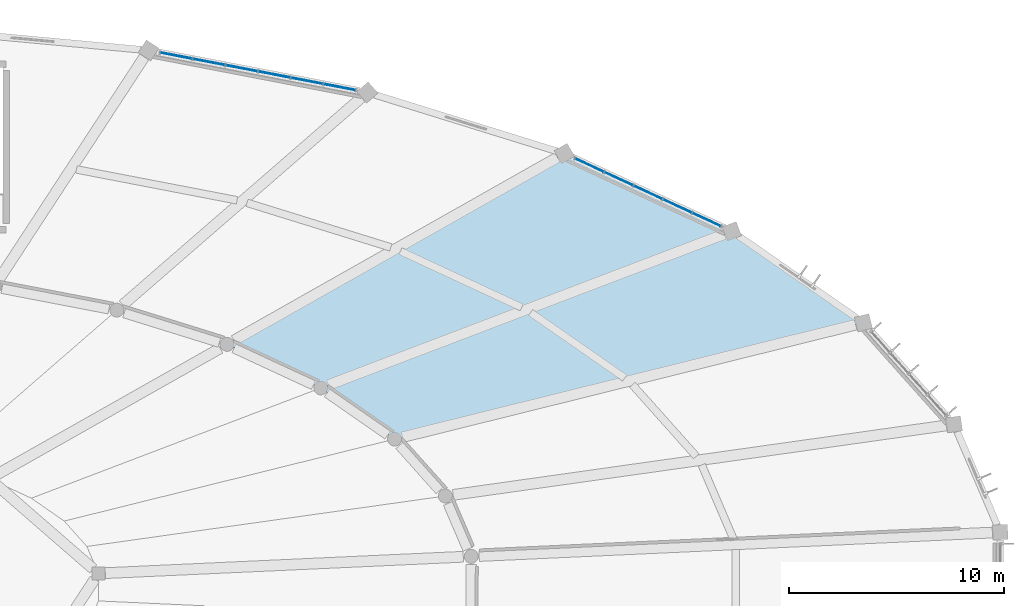
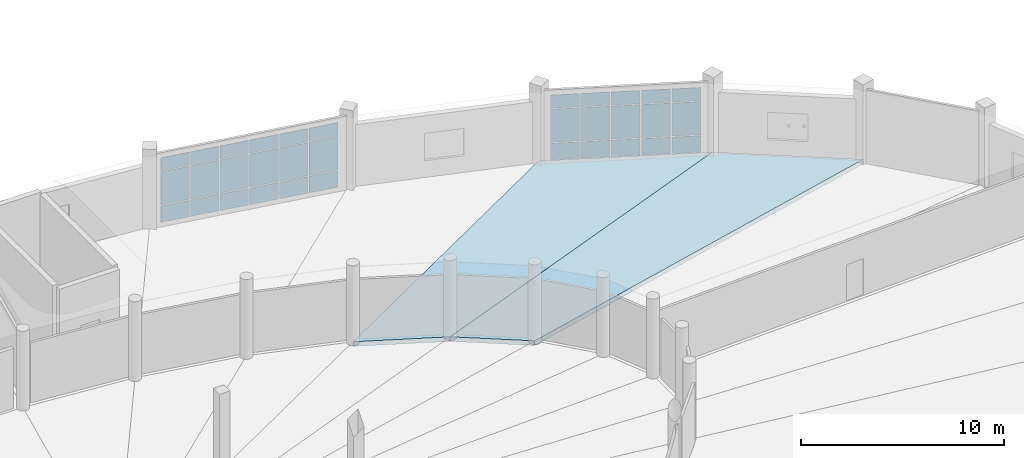
# One storey, part 109 of 179: 33 plates, 2 slabs, 2 elements without a shape of their own.
"""IFC4 building model written with IfcOpenShell, lengths in metres."""

from ifc_helpers import new_model, si_unit, direction, frame, origin, origin_2d, place, context, subcontext, project, spatial, polyline, rectangle, outline, extrude, material, layer, layer_set, type_object, element, aggregate, save


model = new_model("IFC4")

# Units and contexts
model_context = context("Model", 3, precision=1e-05, world=origin(), true_north=direction((0.0, 1.0)))
body_context = subcontext(model_context, "Body", "Model", "MODEL_VIEW")
ifc_project = project(units=[si_unit("LENGTHUNIT", "METRE"), si_unit("AREAUNIT", "SQUARE_METRE"), si_unit("VOLUMEUNIT", "CUBIC_METRE"), si_unit("PLANEANGLEUNIT", "RADIAN"), si_unit("MASSUNIT", "GRAM", prefix="KILO")], contexts=[model_context])

# Site, building, storey
site_placement = place(None, origin())
site = spatial("IfcSite", under=ifc_project, at=site_placement, CompositionType="ELEMENT")
building_placement = place(site_placement, origin())
building = spatial("IfcBuilding", under=site, at=building_placement, Name="Corvandel Quay Wholesale Market", CompositionType="ELEMENT")
storey_placement = place(building_placement, frame((0.0, 0.0, 6.0)))
storey = spatial("IfcBuildingStorey", under=building, at=storey_placement, Name="L01", CompositionType="ELEMENT", Elevation=6.0)

# Curtain wall, plates
ifc_material_1 = material(Name="Bronze anodised aluminium and low-E insulated glazing", Category="aluminium")
ifc_layer_1 = layer(ifc_material_1, 0.14990234375)
ifc_layer_set_1 = layer_set([ifc_layer_1], Name="Bronze anodised aluminium and low-E insulated glazing")
curtain_wall_type_1 = type_object("IfcCurtainWallType", Name="Stick Curtain Wall System CW10 H3900", PredefinedType="NOTDEFINED", material=ifc_layer_set_1)
curtain_wall_1_placement = place(storey_placement, origin())
curtain_wall_1 = element("IfcCurtainWall", 1, at=curtain_wall_1_placement, inside=storey, type_object=curtain_wall_type_1, Name="Curtain Wall CW-0093", PredefinedType="NOTDEFINED")
ifc_material_2 = material(Name="Solar-control low-E insulated glazing", Category="glass")
ifc_layer_2 = layer(ifc_material_2, 0.0400390625)
ifc_layer_set_2 = layer_set([ifc_layer_2], Name="Solar-control low-E insulated glazing")
plate_type_1 = type_object("IfcPlateType", Name="Ceramic Fritted Spandrel Panel PN03 40mm", PredefinedType="CURTAIN_PANEL", material=ifc_layer_set_2)
plate_1_placement = place(storey_placement, frame((156.326171875, 133.1181640625, 3.1298828125), z_axis=(0.0, 0.0, 1.0), x_axis=(-0.906970515865, 0.421194115999, 0.0)))
plate_1 = element("IfcPlate", 2, at=plate_1_placement, type_object=plate_type_1, Name="Glazing Panel CW-0093-P00-2", PredefinedType="CURTAIN_PANEL", context=body_context, shape_type="SweptSolid", body=[
    extrude(rectangle(XDim=1.43896484375, YDim=0.0400390625, at=origin_2d()), origin(), (0.0, 0.0, 1.0), 0.7900390625),
])
plate_2_placement = place(storey_placement, frame((154.962158203125, 133.751708984375, 3.1298828125), z_axis=(0.0, 0.0, 1.0), x_axis=(-0.906970515865, 0.421194115999, 0.0)))
plate_2 = element("IfcPlate", 3, at=plate_2_placement, type_object=plate_type_1, Name="Glazing Panel CW-0093-P01-2", PredefinedType="CURTAIN_PANEL", context=body_context, shape_type="SweptSolid", body=[
    extrude(rectangle(XDim=1.43896484375, YDim=0.0400390625, at=origin_2d()), origin(), (0.0, 0.0, 1.0), 0.7900390625),
])
plate_3_placement = place(storey_placement, frame((153.597900390625, 134.385009765625, 3.1298828125), z_axis=(0.0, 0.0, 1.0), x_axis=(-0.906970515865, 0.421194115999, 0.0)))
plate_3 = element("IfcPlate", 4, at=plate_3_placement, type_object=plate_type_1, Name="Glazing Panel CW-0093-P02-2", PredefinedType="CURTAIN_PANEL", context=body_context, shape_type="SweptSolid", body=[
    extrude(rectangle(XDim=1.43896484375, YDim=0.0400390625, at=origin_2d()), origin(), (0.0, 0.0, 1.0), 0.7900390625),
])
plate_4_placement = place(storey_placement, frame((152.23388671875, 135.018310546875, 3.1298828125), z_axis=(0.0, 0.0, 1.0), x_axis=(-0.906970515865, 0.421194115999, 0.0)))
plate_4 = element("IfcPlate", 5, at=plate_4_placement, type_object=plate_type_1, Name="Glazing Panel CW-0093-P03-2", PredefinedType="CURTAIN_PANEL", context=body_context, shape_type="SweptSolid", body=[
    extrude(rectangle(XDim=1.43896484375, YDim=0.0400390625, at=origin_2d()), origin(), (0.0, 0.0, 1.0), 0.7900390625),
])
plate_5_placement = place(storey_placement, frame((150.869873046875, 135.65185546875, 3.1298828125), z_axis=(0.0, 0.0, 1.0), x_axis=(-0.906970515865, 0.421194115999, 0.0)))
plate_5 = element("IfcPlate", 6, at=plate_5_placement, type_object=plate_type_1, Name="Glazing Panel CW-0093-P04-2", PredefinedType="CURTAIN_PANEL", context=body_context, shape_type="SweptSolid", body=[
    extrude(rectangle(XDim=1.43896484375, YDim=0.0400390625, at=origin_2d()), origin(), (0.0, 0.0, 1.0), 0.7900390625),
])

ifc_layer_3 = layer(ifc_material_1, 0.174072265625)
ifc_layer_set_3 = layer_set([ifc_layer_3], Name="Bronze anodised aluminium and low-E insulated glazing")
curtain_wall_type_2 = type_object("IfcCurtainWallType", Name="Stick Curtain Wall System CW12 H4080", PredefinedType="NOTDEFINED", material=ifc_layer_set_3)
curtain_wall_2_placement = place(storey_placement, origin())
curtain_wall_2 = element("IfcCurtainWall", 7, at=curtain_wall_2_placement, inside=storey, type_object=curtain_wall_type_2, Name="Curtain Wall CW-0095", PredefinedType="NOTDEFINED")
plate_6_placement = place(storey_placement, frame((139.23486328125, 139.289306640625, 3.1298828125), z_axis=(0.0, 0.0, 1.0), x_axis=(-0.981991701121, 0.188924055984, 0.0)))
plate_6 = element("IfcPlate", 8, at=plate_6_placement, type_object=plate_type_1, Name="Glazing Panel CW-0095-P00-2", PredefinedType="CURTAIN_PANEL", context=body_context, shape_type="SweptSolid", body=[
    extrude(rectangle(XDim=1.484619140625, YDim=0.0400390625, at=origin_2d()), origin(), (0.0, 0.0, 1.0), 0.7900390625),
])
plate_7_placement = place(storey_placement, frame((137.713134765625, 139.58203125, 3.1298828125), z_axis=(0.0, 0.0, 1.0), x_axis=(-0.981991701121, 0.188924055984, 0.0)))
plate_7 = element("IfcPlate", 9, at=plate_7_placement, type_object=plate_type_1, Name="Glazing Panel CW-0095-P01-2", PredefinedType="CURTAIN_PANEL", context=body_context, shape_type="SweptSolid", body=[
    extrude(rectangle(XDim=1.484619140625, YDim=0.0400390625, at=origin_2d()), origin(), (0.0, 0.0, 1.0), 0.7900390625),
])
plate_8_placement = place(storey_placement, frame((136.19140625, 139.874755859375, 3.1298828125), z_axis=(0.0, 0.0, 1.0), x_axis=(-0.981991701121, 0.188924055984, 0.0)))
plate_8 = element("IfcPlate", 10, at=plate_8_placement, type_object=plate_type_1, Name="Glazing Panel CW-0095-P02-2", PredefinedType="CURTAIN_PANEL", context=body_context, shape_type="SweptSolid", body=[
    extrude(rectangle(XDim=1.484619140625, YDim=0.0400390625, at=origin_2d()), origin(), (0.0, 0.0, 1.0), 0.7900390625),
])
plate_9_placement = place(storey_placement, frame((134.669677734375, 140.167236328125, 3.1298828125), z_axis=(0.0, 0.0, 1.0), x_axis=(-0.981991701121, 0.188924055984, 0.0)))
plate_9 = element("IfcPlate", 11, at=plate_9_placement, type_object=plate_type_1, Name="Glazing Panel CW-0095-P03-2", PredefinedType="CURTAIN_PANEL", context=body_context, shape_type="SweptSolid", body=[
    extrude(rectangle(XDim=1.484619140625, YDim=0.0400390625, at=origin_2d()), origin(), (0.0, 0.0, 1.0), 0.7900390625),
])
plate_10_placement = place(storey_placement, frame((133.14794921875, 140.4599609375, 3.1298828125), z_axis=(0.0, 0.0, 1.0), x_axis=(-0.981991701121, 0.188924055984, 0.0)))
plate_10 = element("IfcPlate", 12, at=plate_10_placement, type_object=plate_type_1, Name="Glazing Panel CW-0095-P04-2", PredefinedType="CURTAIN_PANEL", context=body_context, shape_type="SweptSolid", body=[
    extrude(rectangle(XDim=1.484619140625, YDim=0.0400390625, at=origin_2d()), origin(), (0.0, 0.0, 1.0), 0.7900390625),
])
plate_11_placement = place(storey_placement, frame((131.626220703125, 140.752685546875, 3.1298828125), z_axis=(0.0, 0.0, 1.0), x_axis=(-0.981991701121, 0.188924055984, 0.0)))
plate_11 = element("IfcPlate", 13, at=plate_11_placement, type_object=plate_type_1, Name="Glazing Panel CW-0095-P05-2", PredefinedType="CURTAIN_PANEL", context=body_context, shape_type="SweptSolid", body=[
    extrude(rectangle(XDim=1.484619140625, YDim=0.0400390625, at=origin_2d()), origin(), (0.0, 0.0, 1.0), 0.7900390625),
])

# Slabs
ifc_material_3 = material(Name="Concrete C40/50", Category="concrete")
ifc_layer_4 = layer(ifc_material_3, 0.280029296875)
ifc_layer_set_4 = layer_set([ifc_layer_4], Name="Concrete C40/50")
slab_type = type_object("IfcSlabType", Name="Composite Sorting Gallery Floor Slab 280", PredefinedType="FLOOR", material=ifc_layer_set_4)
slab_1_placement = place(storey_placement, frame((0.0, 0.0, -0.280029296875)))
element("IfcSlab", 14, at=slab_1_placement, inside=storey, type_object=slab_type, Name="Slab SLB-0220", PredefinedType="FLOOR", context=body_context, shape_type="SweptSolid", body=[
    extrude(outline(polyline([(141.791015625, 122.89697265625), (138.35888671875, 125.281005859375), (157.498046875, 132.573974609375), (163.626953125, 128.31591796875), (141.791015625, 122.89697265625)])), origin(), (0.0, 0.0, 1.0), 0.280029296875),
])
slab_2_placement = place(storey_placement, frame((0.0, 0.0, -0.280029296875)))
element("IfcSlab", 15, at=slab_2_placement, inside=storey, type_object=slab_type, Name="Slab SLB-0224", PredefinedType="FLOOR", context=body_context, shape_type="SweptSolid", body=[
    extrude(outline(polyline([(138.35888671875, 125.281005859375), (133.990966796875, 127.30908203125), (149.697998046875, 136.196044921875), (157.498046875, 132.573974609375), (138.35888671875, 125.281005859375)])), origin(), (0.0, 0.0, 1.0), 0.280029296875),
])

# Plate
ifc_layer_5 = layer(ifc_material_2, 0.028076171875)
ifc_layer_set_5 = layer_set([ifc_layer_5], Name="Solar-control low-E insulated glazing")
plate_type_2 = type_object("IfcPlateType", Name="Double Low-E Vision Panel PN01 28mm", PredefinedType="CURTAIN_PANEL", material=ifc_layer_set_5)
plate_12_placement = place(storey_placement, frame((156.326171875, 133.1181640625, 0.02978515625), z_axis=(0.0, 0.0, 1.0), x_axis=(-0.906970515865, 0.421194115999, 0.0)))
plate_12 = element("IfcPlate", 16, at=plate_12_placement, type_object=plate_type_2, Name="Glazing Panel CW-0093-P00-0", PredefinedType="CURTAIN_PANEL", context=body_context, shape_type="SweptSolid", body=[
    extrude(rectangle(XDim=1.43896484375, YDim=0.028076171875, at=origin_2d()), origin(), (0.0, 0.0, 1.0), 0.989990234375),
])

plate_13_placement = place(storey_placement, frame((156.326171875, 133.1181640625, 1.080078125), z_axis=(0.0, 0.0, 1.0), x_axis=(-0.906970515865, 0.421194115999, 0.0)))
plate_13 = element("IfcPlate", 17, at=plate_13_placement, type_object=plate_type_2, Name="Glazing Panel CW-0093-P00-1", PredefinedType="CURTAIN_PANEL", context=body_context, shape_type="SweptSolid", body=[
    extrude(rectangle(XDim=1.43896484375, YDim=0.028076171875, at=origin_2d()), origin(), (0.0, 0.0, 1.0), 1.989990234375),
])

plate_14_placement = place(storey_placement, frame((154.962158203125, 133.751708984375, 0.02978515625), z_axis=(0.0, 0.0, 1.0), x_axis=(-0.906970515865, 0.421194115999, 0.0)))
plate_14 = element("IfcPlate", 18, at=plate_14_placement, type_object=plate_type_2, Name="Glazing Panel CW-0093-P01-0", PredefinedType="CURTAIN_PANEL", context=body_context, shape_type="SweptSolid", body=[
    extrude(rectangle(XDim=1.43896484375, YDim=0.028076171875, at=origin_2d()), origin(), (0.0, 0.0, 1.0), 0.989990234375),
])

plate_15_placement = place(storey_placement, frame((154.962158203125, 133.751708984375, 1.080078125), z_axis=(0.0, 0.0, 1.0), x_axis=(-0.906970515865, 0.421194115999, 0.0)))
plate_15 = element("IfcPlate", 19, at=plate_15_placement, type_object=plate_type_2, Name="Glazing Panel CW-0093-P01-1", PredefinedType="CURTAIN_PANEL", context=body_context, shape_type="SweptSolid", body=[
    extrude(rectangle(XDim=1.43896484375, YDim=0.028076171875, at=origin_2d()), origin(), (0.0, 0.0, 1.0), 1.989990234375),
])

plate_16_placement = place(storey_placement, frame((153.597900390625, 134.385009765625, 0.02978515625), z_axis=(0.0, 0.0, 1.0), x_axis=(-0.906970515865, 0.421194115999, 0.0)))
plate_16 = element("IfcPlate", 20, at=plate_16_placement, type_object=plate_type_2, Name="Glazing Panel CW-0093-P02-0", PredefinedType="CURTAIN_PANEL", context=body_context, shape_type="SweptSolid", body=[
    extrude(rectangle(XDim=1.43896484375, YDim=0.028076171875, at=origin_2d()), origin(), (0.0, 0.0, 1.0), 0.989990234375),
])

plate_17_placement = place(storey_placement, frame((153.597900390625, 134.385009765625, 1.080078125), z_axis=(0.0, 0.0, 1.0), x_axis=(-0.906970515865, 0.421194115999, 0.0)))
plate_17 = element("IfcPlate", 21, at=plate_17_placement, type_object=plate_type_2, Name="Glazing Panel CW-0093-P02-1", PredefinedType="CURTAIN_PANEL", context=body_context, shape_type="SweptSolid", body=[
    extrude(rectangle(XDim=1.43896484375, YDim=0.028076171875, at=origin_2d()), origin(), (0.0, 0.0, 1.0), 1.989990234375),
])

plate_18_placement = place(storey_placement, frame((152.23388671875, 135.018310546875, 0.02978515625), z_axis=(0.0, 0.0, 1.0), x_axis=(-0.906970515865, 0.421194115999, 0.0)))
plate_18 = element("IfcPlate", 22, at=plate_18_placement, type_object=plate_type_2, Name="Glazing Panel CW-0093-P03-0", PredefinedType="CURTAIN_PANEL", context=body_context, shape_type="SweptSolid", body=[
    extrude(rectangle(XDim=1.43896484375, YDim=0.028076171875, at=origin_2d()), origin(), (0.0, 0.0, 1.0), 0.989990234375),
])

plate_19_placement = place(storey_placement, frame((152.23388671875, 135.018310546875, 1.080078125), z_axis=(0.0, 0.0, 1.0), x_axis=(-0.906970515865, 0.421194115999, 0.0)))
plate_19 = element("IfcPlate", 23, at=plate_19_placement, type_object=plate_type_2, Name="Glazing Panel CW-0093-P03-1", PredefinedType="CURTAIN_PANEL", context=body_context, shape_type="SweptSolid", body=[
    extrude(rectangle(XDim=1.43896484375, YDim=0.028076171875, at=origin_2d()), origin(), (0.0, 0.0, 1.0), 1.989990234375),
])

plate_20_placement = place(storey_placement, frame((150.869873046875, 135.65185546875, 0.02978515625), z_axis=(0.0, 0.0, 1.0), x_axis=(-0.906970515865, 0.421194115999, 0.0)))
plate_20 = element("IfcPlate", 24, at=plate_20_placement, type_object=plate_type_2, Name="Glazing Panel CW-0093-P04-0", PredefinedType="CURTAIN_PANEL", context=body_context, shape_type="SweptSolid", body=[
    extrude(rectangle(XDim=1.43896484375, YDim=0.028076171875, at=origin_2d()), origin(), (0.0, 0.0, 1.0), 0.989990234375),
])

plate_21_placement = place(storey_placement, frame((150.869873046875, 135.65185546875, 1.080078125), z_axis=(0.0, 0.0, 1.0), x_axis=(-0.906970515865, 0.421194115999, 0.0)))
plate_21 = element("IfcPlate", 25, at=plate_21_placement, type_object=plate_type_2, Name="Glazing Panel CW-0093-P04-1", PredefinedType="CURTAIN_PANEL", context=body_context, shape_type="SweptSolid", body=[
    extrude(rectangle(XDim=1.43896484375, YDim=0.028076171875, at=origin_2d()), origin(), (0.0, 0.0, 1.0), 1.989990234375),
])

aggregate(curtain_wall_1, [plate_12, plate_13, plate_1, plate_14, plate_15, plate_2, plate_16, plate_17, plate_3, plate_18, plate_19, plate_4, plate_20, plate_21, plate_5])

plate_22_placement = place(storey_placement, frame((139.23486328125, 139.289306640625, 0.02978515625), z_axis=(0.0, 0.0, 1.0), x_axis=(-0.981991701121, 0.188924055984, 0.0)))
plate_22 = element("IfcPlate", 26, at=plate_22_placement, type_object=plate_type_2, Name="Glazing Panel CW-0095-P00-0", PredefinedType="CURTAIN_PANEL", context=body_context, shape_type="SweptSolid", body=[
    extrude(rectangle(XDim=1.484619140625, YDim=0.028076171875, at=origin_2d()), origin(), (0.0, 0.0, 1.0), 0.989990234375),
])

plate_23_placement = place(storey_placement, frame((139.23486328125, 139.289306640625, 1.080078125), z_axis=(0.0, 0.0, 1.0), x_axis=(-0.981991701121, 0.188924055984, 0.0)))
plate_23 = element("IfcPlate", 27, at=plate_23_placement, type_object=plate_type_2, Name="Glazing Panel CW-0095-P00-1", PredefinedType="CURTAIN_PANEL", context=body_context, shape_type="SweptSolid", body=[
    extrude(rectangle(XDim=1.484619140625, YDim=0.028076171875, at=origin_2d()), origin(), (0.0, 0.0, 1.0), 1.989990234375),
])

plate_24_placement = place(storey_placement, frame((137.713134765625, 139.58203125, 0.02978515625), z_axis=(0.0, 0.0, 1.0), x_axis=(-0.981991701121, 0.188924055984, 0.0)))
plate_24 = element("IfcPlate", 28, at=plate_24_placement, type_object=plate_type_2, Name="Glazing Panel CW-0095-P01-0", PredefinedType="CURTAIN_PANEL", context=body_context, shape_type="SweptSolid", body=[
    extrude(rectangle(XDim=1.484619140625, YDim=0.028076171875, at=origin_2d()), origin(), (0.0, 0.0, 1.0), 0.989990234375),
])

plate_25_placement = place(storey_placement, frame((137.713134765625, 139.58203125, 1.080078125), z_axis=(0.0, 0.0, 1.0), x_axis=(-0.981991701121, 0.188924055984, 0.0)))
plate_25 = element("IfcPlate", 29, at=plate_25_placement, type_object=plate_type_2, Name="Glazing Panel CW-0095-P01-1", PredefinedType="CURTAIN_PANEL", context=body_context, shape_type="SweptSolid", body=[
    extrude(rectangle(XDim=1.484619140625, YDim=0.028076171875, at=origin_2d()), origin(), (0.0, 0.0, 1.0), 1.989990234375),
])

plate_26_placement = place(storey_placement, frame((136.19140625, 139.874755859375, 0.02978515625), z_axis=(0.0, 0.0, 1.0), x_axis=(-0.981991701121, 0.188924055984, 0.0)))
plate_26 = element("IfcPlate", 30, at=plate_26_placement, type_object=plate_type_2, Name="Glazing Panel CW-0095-P02-0", PredefinedType="CURTAIN_PANEL", context=body_context, shape_type="SweptSolid", body=[
    extrude(rectangle(XDim=1.484619140625, YDim=0.028076171875, at=origin_2d()), origin(), (0.0, 0.0, 1.0), 0.989990234375),
])

plate_27_placement = place(storey_placement, frame((136.19140625, 139.874755859375, 1.080078125), z_axis=(0.0, 0.0, 1.0), x_axis=(-0.981991701121, 0.188924055984, 0.0)))
plate_27 = element("IfcPlate", 31, at=plate_27_placement, type_object=plate_type_2, Name="Glazing Panel CW-0095-P02-1", PredefinedType="CURTAIN_PANEL", context=body_context, shape_type="SweptSolid", body=[
    extrude(rectangle(XDim=1.484619140625, YDim=0.028076171875, at=origin_2d()), origin(), (0.0, 0.0, 1.0), 1.989990234375),
])

plate_28_placement = place(storey_placement, frame((134.669677734375, 140.167236328125, 0.02978515625), z_axis=(0.0, 0.0, 1.0), x_axis=(-0.981991701121, 0.188924055984, 0.0)))
plate_28 = element("IfcPlate", 32, at=plate_28_placement, type_object=plate_type_2, Name="Glazing Panel CW-0095-P03-0", PredefinedType="CURTAIN_PANEL", context=body_context, shape_type="SweptSolid", body=[
    extrude(rectangle(XDim=1.484619140625, YDim=0.028076171875, at=origin_2d()), origin(), (0.0, 0.0, 1.0), 0.989990234375),
])

plate_29_placement = place(storey_placement, frame((134.669677734375, 140.167236328125, 1.080078125), z_axis=(0.0, 0.0, 1.0), x_axis=(-0.981991701121, 0.188924055984, 0.0)))
plate_29 = element("IfcPlate", 33, at=plate_29_placement, type_object=plate_type_2, Name="Glazing Panel CW-0095-P03-1", PredefinedType="CURTAIN_PANEL", context=body_context, shape_type="SweptSolid", body=[
    extrude(rectangle(XDim=1.484619140625, YDim=0.028076171875, at=origin_2d()), origin(), (0.0, 0.0, 1.0), 1.989990234375),
])

plate_30_placement = place(storey_placement, frame((133.14794921875, 140.4599609375, 0.02978515625), z_axis=(0.0, 0.0, 1.0), x_axis=(-0.981991701121, 0.188924055984, 0.0)))
plate_30 = element("IfcPlate", 34, at=plate_30_placement, type_object=plate_type_2, Name="Glazing Panel CW-0095-P04-0", PredefinedType="CURTAIN_PANEL", context=body_context, shape_type="SweptSolid", body=[
    extrude(rectangle(XDim=1.484619140625, YDim=0.028076171875, at=origin_2d()), origin(), (0.0, 0.0, 1.0), 0.989990234375),
])

plate_31_placement = place(storey_placement, frame((133.14794921875, 140.4599609375, 1.080078125), z_axis=(0.0, 0.0, 1.0), x_axis=(-0.981991701121, 0.188924055984, 0.0)))
plate_31 = element("IfcPlate", 35, at=plate_31_placement, type_object=plate_type_2, Name="Glazing Panel CW-0095-P04-1", PredefinedType="CURTAIN_PANEL", context=body_context, shape_type="SweptSolid", body=[
    extrude(rectangle(XDim=1.484619140625, YDim=0.028076171875, at=origin_2d()), origin(), (0.0, 0.0, 1.0), 1.989990234375),
])

plate_32_placement = place(storey_placement, frame((131.626220703125, 140.752685546875, 0.02978515625), z_axis=(0.0, 0.0, 1.0), x_axis=(-0.981991701121, 0.188924055984, 0.0)))
plate_32 = element("IfcPlate", 36, at=plate_32_placement, type_object=plate_type_2, Name="Glazing Panel CW-0095-P05-0", PredefinedType="CURTAIN_PANEL", context=body_context, shape_type="SweptSolid", body=[
    extrude(rectangle(XDim=1.484619140625, YDim=0.028076171875, at=origin_2d()), origin(), (0.0, 0.0, 1.0), 0.989990234375),
])

plate_33_placement = place(storey_placement, frame((131.626220703125, 140.752685546875, 1.080078125), z_axis=(0.0, 0.0, 1.0), x_axis=(-0.981991701121, 0.188924055984, 0.0)))
plate_33 = element("IfcPlate", 37, at=plate_33_placement, type_object=plate_type_2, Name="Glazing Panel CW-0095-P05-1", PredefinedType="CURTAIN_PANEL", context=body_context, shape_type="SweptSolid", body=[
    extrude(rectangle(XDim=1.484619140625, YDim=0.028076171875, at=origin_2d()), origin(), (0.0, 0.0, 1.0), 1.989990234375),
])

aggregate(curtain_wall_2, [plate_22, plate_23, plate_6, plate_24, plate_25, plate_7, plate_26, plate_27, plate_8, plate_28, plate_29, plate_9, plate_30, plate_31, plate_10, plate_32, plate_33, plate_11])

save(model, "model.ifc")
